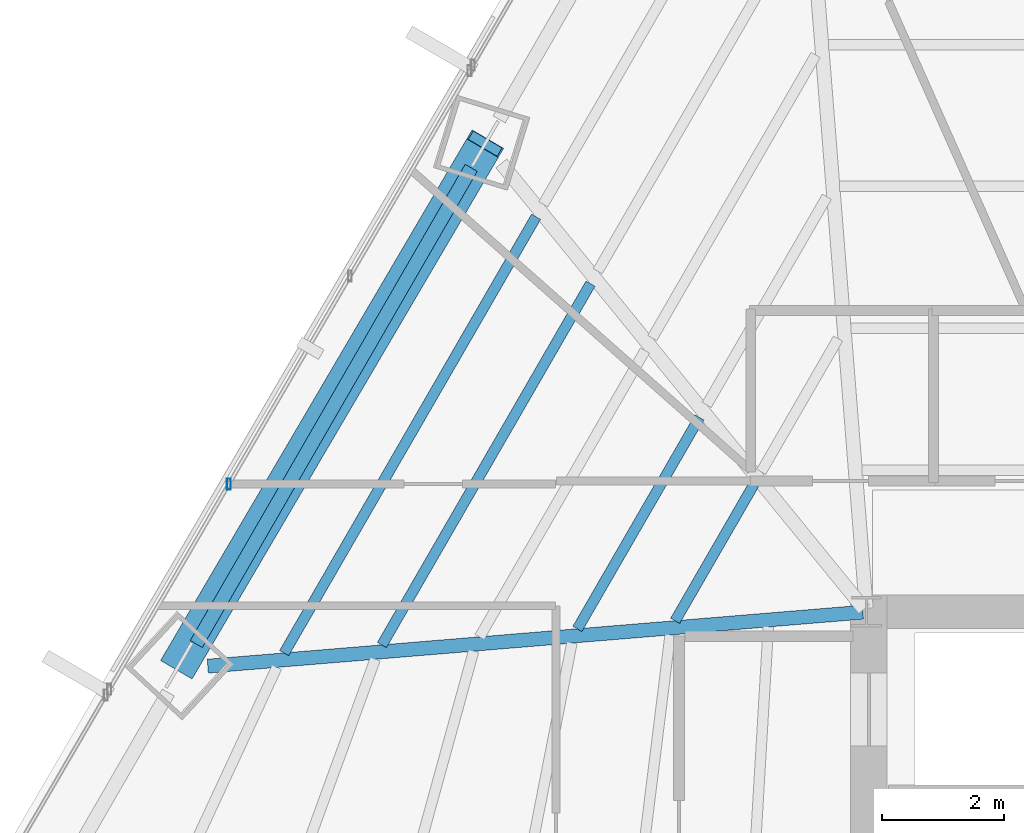
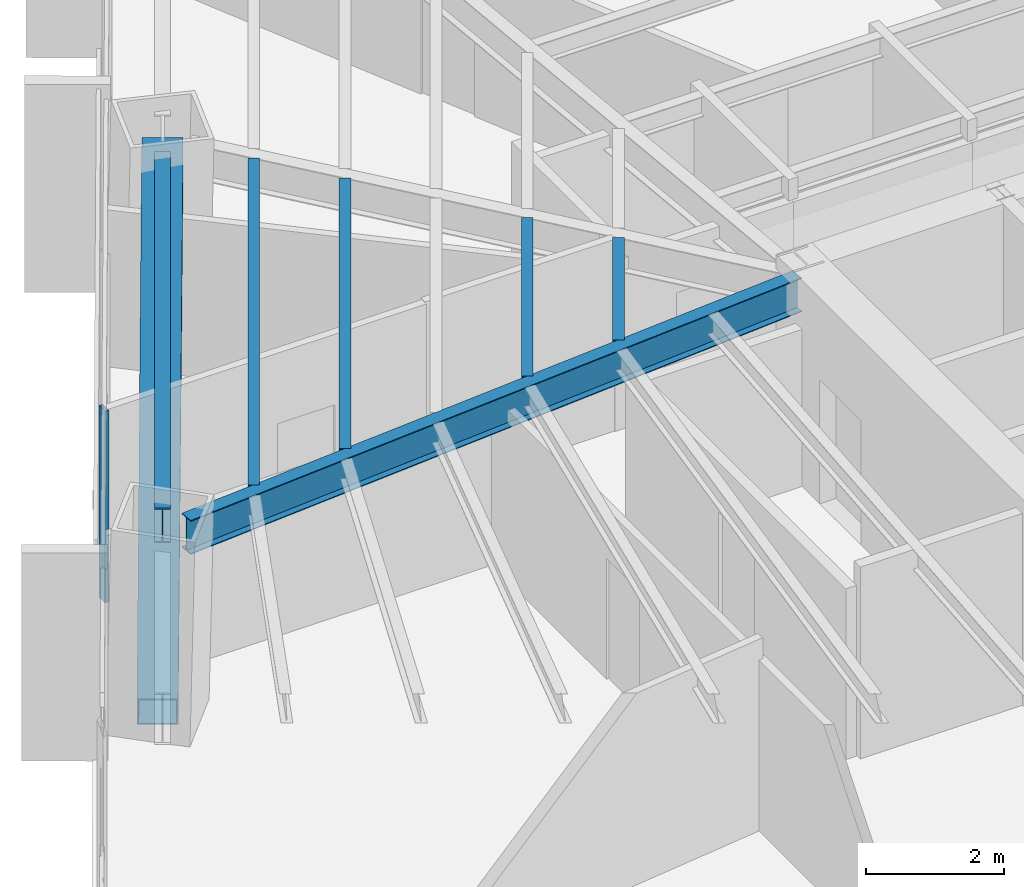
# One storey, part 13 of 37: 6 beams, 2 members, 1 element without a shape of its own.
"""IFC4 building model written with IfcOpenShell, lengths in metres."""

from ifc_helpers import new_model, si_unit, direction, frame, origin, origin_2d, place, context, subcontext, project, spatial, hollow_rectangle, i_section, extrude, source, transform, mapped, material, material_profile, profile_set, type_object, type_shapes, element, aggregate, save


model = new_model("IFC4")

# Units and contexts
model_context = context("Model", 3, precision=1e-05, world=origin(), true_north=direction((0.0, 1.0)))
body_context = subcontext(model_context, "Body", "Model", "MODEL_VIEW")
ifc_project = project(units=[si_unit("LENGTHUNIT", "METRE"), si_unit("AREAUNIT", "SQUARE_METRE"), si_unit("VOLUMEUNIT", "CUBIC_METRE"), si_unit("PLANEANGLEUNIT", "RADIAN"), si_unit("MASSUNIT", "GRAM", prefix="KILO")], contexts=[model_context])

# Site, building, storey
site_placement = place(None, origin())
site = spatial("IfcSite", under=ifc_project, at=site_placement, CompositionType="ELEMENT")
building_placement = place(site_placement, origin())
building = spatial("IfcBuilding", under=site, at=building_placement, Name="Caelisora Broadcast Tower", CompositionType="ELEMENT")
storey_placement = place(building_placement, frame((0.0, 0.0, 45.85009765625)))
storey = spatial("IfcBuildingStorey", under=building, at=storey_placement, Name="L11", CompositionType="ELEMENT", Elevation=45.85009765625)

# Beams
ifc_material_1 = material(Name="Steel Grade 350 (AS/NZS 3679.1)", Category="steel")
ifc_material_profile_1 = material_profile(ifc_material_1, i_section(OverallWidth=0.22900390625, OverallDepth=0.611572265625, WebThickness=0.011962890625, FlangeThickness=0.01953125, at=origin_2d()), Name="Steel Grade 350 (AS/NZS 3679.1)")
ifc_profile_set_1 = profile_set([ifc_material_profile_1], Name="Steel Grade 350 (AS/NZS 3679.1)")
beam_type_1 = type_object("IfcBeamType", Name="PG03", PredefinedType="BEAM", material=ifc_profile_set_1)
shared_shape_1 = source(origin(), body_context, "Body", "SweptSolid", [
    extrude(i_section(OverallWidth=0.22900390625, OverallDepth=0.611572265625, WebThickness=0.011962890625, FlangeThickness=0.01953125, at=origin_2d()), origin(), (0.0, 0.0, 1.0), 9.031494140625),
])
type_shapes(beam_type_1, [shared_shape_1])
beam_1_placement = place(storey_placement, frame((24.005859375, 37.2939453125, 3.093994140625), z_axis=(-0.500008706119, -0.866020377246, 0.0), x_axis=(0.866020377246, -0.500008706119, 0.0)))
element("IfcBeam", 1, at=beam_1_placement, inside=storey, type_object=beam_type_1, Name="L11 beam PG03", PredefinedType="BEAM", context=body_context, shape_type="MappedRepresentation", body=[
    mapped(shared_shape_1, transform((0.0, 0.0, 0.0), scale=1.0)),
])
ifc_material_profile_2 = material_profile(ifc_material_1, i_section(OverallWidth=0.22802734375, OverallDepth=0.602294921875, WebThickness=0.010498046875, FlangeThickness=0.014892578125, at=origin_2d()), Name="Steel Grade 350 (AS/NZS 3679.1)")
ifc_profile_set_2 = profile_set([ifc_material_profile_2], Name="Steel Grade 350 (AS/NZS 3679.1)")
beam_type_2 = type_object("IfcBeamType", Name="PG04", PredefinedType="BEAM", material=ifc_profile_set_2)
shared_shape_2 = source(origin(), body_context, "Body", "SweptSolid", [
    extrude(i_section(OverallWidth=0.22802734375, OverallDepth=0.602294921875, WebThickness=0.010498046875, FlangeThickness=0.014892578125, at=origin_2d()), origin(), (0.0, 0.0, 1.0), 10.7978515625),
])
type_shapes(beam_type_2, [shared_shape_2])
beam_2_placement = place(storey_placement, frame((30.440185546875, 29.9951171875, 3.098876953125), z_axis=(-0.996622513387, -0.082119217056, 0.0), x_axis=(0.082119217056, -0.996622513387, 0.0)))
element("IfcBeam", 2, at=beam_2_placement, inside=storey, type_object=beam_type_2, Name="L11 beam PG04", PredefinedType="BEAM", context=body_context, shape_type="MappedRepresentation", body=[
    mapped(shared_shape_2, transform((0.0, 0.0, 0.0), scale=1.0)),
])
ifc_material_profile_3 = material_profile(ifc_material_1, i_section(OverallWidth=0.172119140625, OverallDepth=0.358642578125, WebThickness=0.008056640625, FlangeThickness=0.012939453125, at=origin_2d()), Name="Steel Grade 350 (AS/NZS 3679.1)")
ifc_profile_set_3 = profile_set([ifc_material_profile_3], Name="Steel Grade 350 (AS/NZS 3679.1)")
beam_type_3 = type_object("IfcBeamType", Name="SB02", PredefinedType="JOIST", material=ifc_profile_set_3)
shared_shape_3 = source(origin(), body_context, "Body", "SweptSolid", [
    extrude(i_section(OverallWidth=0.172119140625, OverallDepth=0.358642578125, WebThickness=0.008056640625, FlangeThickness=0.012939453125, at=origin_2d()), origin(), (0.0, 0.0, 1.0), 2.5888671875),
])
beam_3_placement = place(storey_placement, frame((28.65087890625, 32.0947265625, 3.220703125), z_axis=(-0.5000136139, -0.866017543653, 0.0), x_axis=(0.866017543653, -0.5000136139, 0.0)))
element("IfcBeam", 3, at=beam_3_placement, inside=storey, type_object=beam_type_3, Name="L11 beam SB02", PredefinedType="JOIST", context=body_context, shape_type="MappedRepresentation", body=[
    mapped(shared_shape_3, transform((0.0, 0.0, 0.0), scale=1.0)),
])
shared_shape_4 = source(origin(), body_context, "Body", "SweptSolid", [
    extrude(i_section(OverallWidth=0.172119140625, OverallDepth=0.358642578125, WebThickness=0.008056640625, FlangeThickness=0.012939453125, at=origin_2d()), origin(), (0.0, 0.0, 1.0), 4.01025390625),
])
beam_4_placement = place(storey_placement, frame((27.755859375, 33.193603515625, 3.220703125), z_axis=(-0.500008785931, -0.866020331166, 0.0), x_axis=(0.866020331166, -0.500008785931, 0.0)))
element("IfcBeam", 4, at=beam_4_placement, inside=storey, type_object=beam_type_3, Name="L11 beam SB02", PredefinedType="JOIST", context=body_context, shape_type="MappedRepresentation", body=[
    mapped(shared_shape_4, transform((0.0, 0.0, 0.0), scale=1.0)),
])
shared_shape_5 = source(origin(), body_context, "Body", "SweptSolid", [
    extrude(i_section(OverallWidth=0.172119140625, OverallDepth=0.358642578125, WebThickness=0.008056640625, FlangeThickness=0.012939453125, at=origin_2d()), origin(), (0.0, 0.0, 1.0), 6.853515625),
])
beam_5_placement = place(storey_placement, frame((25.966064453125, 35.391357421875, 3.220703125), z_axis=(-0.500001004715, -0.866024823711, 0.0), x_axis=(0.866024823711, -0.500001004715, 0.0)))
element("IfcBeam", 5, at=beam_5_placement, inside=storey, type_object=beam_type_3, Name="L11 beam SB02", PredefinedType="JOIST", context=body_context, shape_type="MappedRepresentation", body=[
    mapped(shared_shape_5, transform((0.0, 0.0, 0.0), scale=1.0)),
])
shared_shape_6 = source(origin(), body_context, "Body", "SweptSolid", [
    extrude(i_section(OverallWidth=0.172119140625, OverallDepth=0.358642578125, WebThickness=0.008056640625, FlangeThickness=0.012939453125, at=origin_2d()), origin(), (0.0, 0.0, 1.0), 8.275146484375),
])
type_shapes(beam_type_3, [shared_shape_3, shared_shape_4, shared_shape_5, shared_shape_6])
beam_6_placement = place(storey_placement, frame((25.0712890625, 36.490234375, 3.220703125), z_axis=(-0.500010182751, -0.866019524691, 0.0), x_axis=(0.866019524691, -0.500010182751, 0.0)))
element("IfcBeam", 6, at=beam_6_placement, inside=storey, type_object=beam_type_3, Name="L11 beam SB02", PredefinedType="JOIST", context=body_context, shape_type="MappedRepresentation", body=[
    mapped(shared_shape_6, transform((0.0, 0.0, 0.0), scale=1.0)),
])

# Member
ifc_material_2 = material(Name="Steel Grade 450 L15 (AS/NZS 3678)", Category="steel")
ifc_material_profile_4 = material_profile(ifc_material_2, hollow_rectangle(XDim=0.60009765625, YDim=0.60009765625, WallThickness=0.02490234375, at=origin_2d()), Name="Steel Grade 450 L15 (AS/NZS 3678)")
ifc_profile_set_4 = profile_set([ifc_material_profile_4], Name="Steel Grade 450 L15 (AS/NZS 3678)")
member_type_1 = type_object("IfcMemberType", Name="BR01", PredefinedType="BRACE", material=ifc_profile_set_4)
shared_shape_7 = source(origin(), body_context, "Body", "SweptSolid", [
    extrude(hollow_rectangle(XDim=0.60009765625, YDim=0.60009765625, WallThickness=0.02490234375, at=origin_2d()), origin(), (0.0, 0.0, 1.0), 10.37841796875),
])
type_shapes(member_type_1, [shared_shape_7])
member_1_placement = place(storey_placement, frame((24.23583984375, 37.6923828125, 3.099853515625), z_axis=(-0.484657406666, -0.825561893265, -0.289058399899), x_axis=(0.862375437103, -0.506269301343, 0.0)))
element("IfcMember", 7, at=member_1_placement, inside=storey, type_object=member_type_1, Name="L11 perimeter brace BR01", PredefinedType="BRACE", context=body_context, shape_type="MappedRepresentation", body=[
    mapped(shared_shape_7, transform((0.0, 0.0, 0.0), scale=1.0)),
])

# Curtain wall, member
ifc_material_3 = material(Name="Unitised Aluminium Insulated Shadow-Box Spandrel Curtain Wall", Category="aluminium")
curtain_wall_type = type_object("IfcCurtainWallType", Name="CW-SP1", PredefinedType="NOTDEFINED", material=ifc_material_3)
curtain_wall_placement = place(storey_placement, origin())
curtain_wall = element("IfcCurtainWall", 8, at=curtain_wall_placement, inside=storey, type_object=curtain_wall_type, Name="L11 curtain wall CW-SP1", PredefinedType="NOTDEFINED")
ifc_material_4 = material(Name="Aluminium 6063-T6 Anodised Terracotta Bronze", Category="aluminium")
ifc_material_profile_5 = material_profile(ifc_material_4, hollow_rectangle(XDim=0.06494140625, YDim=0.179931640625, WallThickness=0.00341796875, at=origin_2d()), Name="Aluminium 6063-T6 Anodised Terracotta Bronze")
ifc_profile_set_5 = profile_set([ifc_material_profile_5], Name="Aluminium 6063-T6 Anodised Terracotta Bronze")
member_type_2 = type_object("IfcMemberType", Name="CWM-02", PredefinedType="MULLION", material=ifc_profile_set_5)
shared_shape_8 = source(origin(), body_context, "Body", "SweptSolid", [
    extrude(hollow_rectangle(XDim=0.06494140625, YDim=0.179931640625, WallThickness=0.00341796875, at=origin_2d()), origin(), (0.0, 0.0, 1.0), 3.39990234375),
])
type_shapes(member_type_2, [shared_shape_8])
member_2_placement = place(storey_placement, frame((20.025390625, 32.098876953125, 0.0), z_axis=(0.0, 0.0, 1.0), x_axis=(1.0, 0.0, 0.0)))
member_2 = element("IfcMember", 9, at=member_2_placement, type_object=member_type_2, Name="L11-CW-B10 mullion #1", PredefinedType="MULLION", context=body_context, shape_type="MappedRepresentation", body=[
    mapped(shared_shape_8, transform((0.0, 0.0, 0.0), scale=1.0)),
])
aggregate(curtain_wall, [member_2])

save(model, "model.ifc")
